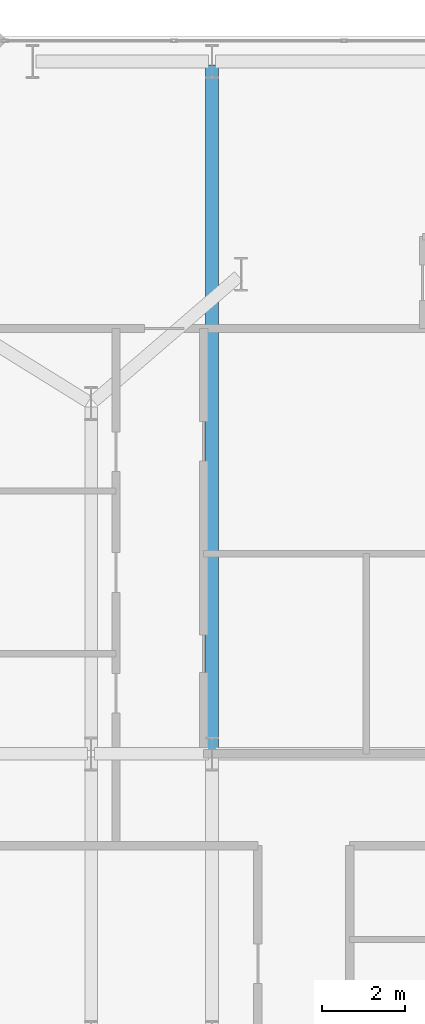
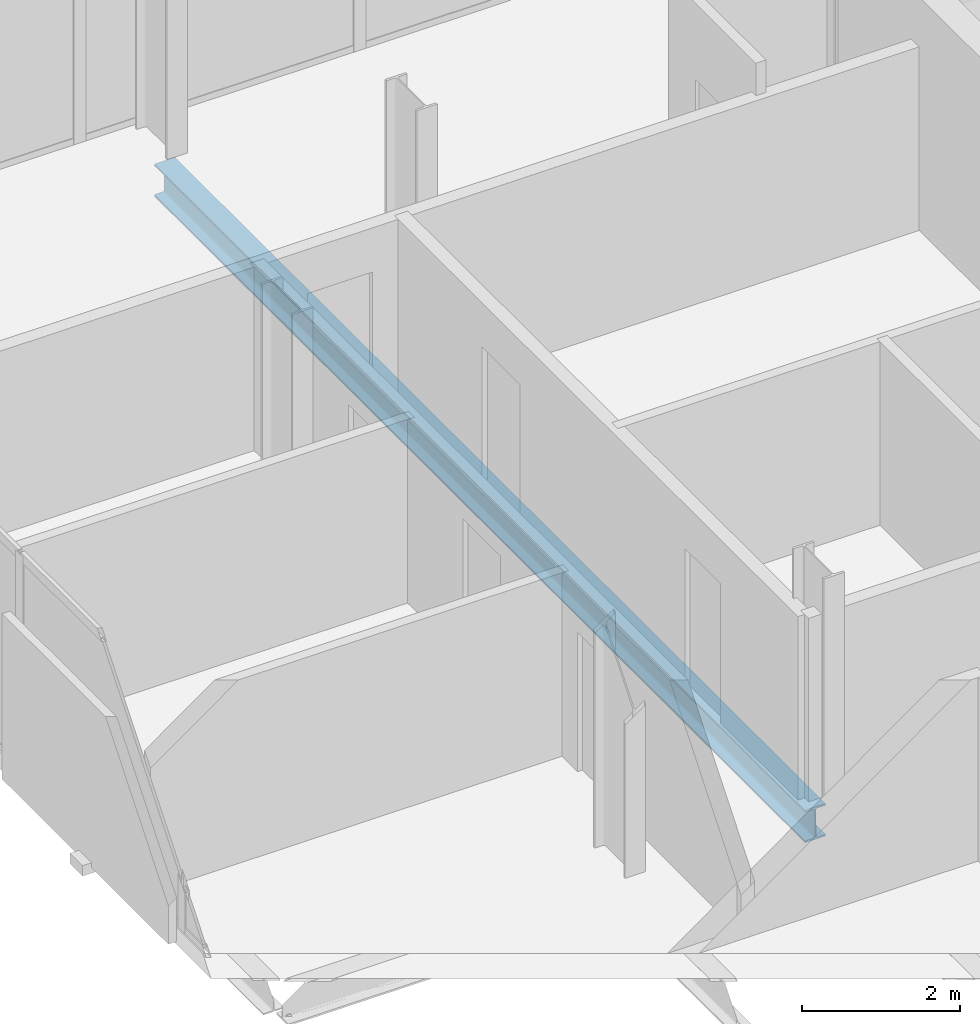
# One storey, part 18 of 32: 1 beam.
"""IFC4 building model written with IfcOpenShell, lengths in metres."""

from ifc_helpers import new_model, si_unit, direction, frame, origin, origin_2d, place, context, subcontext, project, spatial, i_section, extrude, material, material_profile, profile_set, type_object, element, save


model = new_model("IFC4")

# Units and contexts
model_context = context("Model", 3, precision=1e-05, world=origin(), true_north=direction((0.0, 1.0)))
body_context = subcontext(model_context, "Body", "Model", "MODEL_VIEW")
ifc_project = project(units=[si_unit("LENGTHUNIT", "METRE"), si_unit("AREAUNIT", "SQUARE_METRE"), si_unit("VOLUMEUNIT", "CUBIC_METRE"), si_unit("PLANEANGLEUNIT", "RADIAN"), si_unit("MASSUNIT", "GRAM", prefix="KILO")], contexts=[model_context])

# Site, building, storey
site_placement = place(None, origin())
site = spatial("IfcSite", under=ifc_project, at=site_placement, CompositionType="ELEMENT")
building_placement = place(site_placement, origin())
building = spatial("IfcBuilding", under=site, at=building_placement, Name="Catumbela Crestline Tower", CompositionType="ELEMENT")
storey_placement = place(building_placement, frame((0.0, 0.0, 65.4)))
storey = spatial("IfcBuildingStorey", under=building, at=storey_placement, Name="L16", CompositionType="ELEMENT", Elevation=65.4)

# Beam
ifc_material = material(Name="Structural steel S355J2", Category="steel")
ifc_material_profile = material_profile(ifc_material, i_section(OverallWidth=0.3, OverallDepth=0.5, WebThickness=0.0145, FlangeThickness=0.028, FilletRadius=0.027, at=origin_2d()), Name="HEB 500")
ifc_profile_set = profile_set([ifc_material_profile], Name="Structural steel S355J2")
beam_type = type_object("IfcBeamType", Name="BG-HEB500", PredefinedType="BEAM", material=ifc_profile_set)
beam_placement = place(storey_placement, frame((8.5, 30.88, -0.51), z_axis=(0.0, 1.0, 0.0), x_axis=(-1.0, 0.0, 0.0)))
element("IfcBeam", 1, at=beam_placement, inside=storey, type_object=beam_type, Name="L16 Beam BM-L16-SN30", PredefinedType="BEAM", context=body_context, shape_type="SweptSolid", body=[
    extrude(i_section(OverallWidth=0.3, OverallDepth=0.5, WebThickness=0.0145, FlangeThickness=0.028, FilletRadius=0.027, at=origin_2d()), origin(), (0.0, 0.0, 1.0), 16.44),
])

save(model, "model.ifc")
